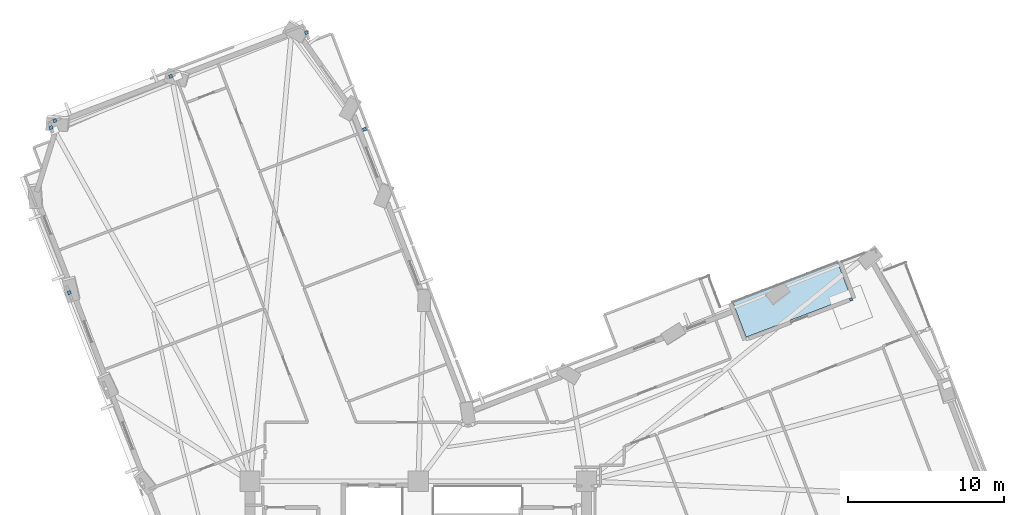
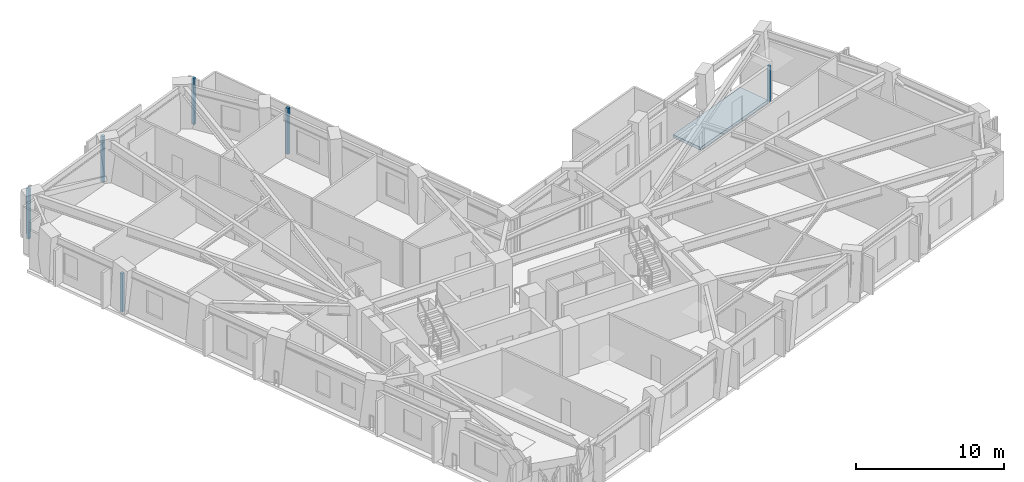
# One storey, part 6 of 15: 7 plates, 1 slab.
"""IFC4 building model written with IfcOpenShell, lengths in metres."""

from ifc_helpers import new_model, si_unit, direction, frame, origin, origin_2d, place, context, subcontext, project, spatial, polyline, rectangle, outline, extrude, material, layer, layer_set, type_object, element, save


model = new_model("IFC4")

# Units and contexts
model_context = context("Model", 3, precision=1e-05, world=origin(), true_north=direction((0.0, 1.0)))
body_context = subcontext(model_context, "Body", "Model", "MODEL_VIEW")
ifc_project = project(units=[si_unit("LENGTHUNIT", "METRE"), si_unit("AREAUNIT", "SQUARE_METRE"), si_unit("VOLUMEUNIT", "CUBIC_METRE"), si_unit("PLANEANGLEUNIT", "RADIAN"), si_unit("MASSUNIT", "GRAM", prefix="KILO")], contexts=[model_context])

# Site, building, storey
site_placement = place(None, origin())
site = spatial("IfcSite", under=ifc_project, at=site_placement, CompositionType="ELEMENT")
building_placement = place(site_placement, origin())
building = spatial("IfcBuilding", under=site, at=building_placement, Name="Gaonmaruhae Medical Tower", CompositionType="ELEMENT")
storey_placement = place(building_placement, frame((0.0, 0.0, 112.39990234375)))
storey = spatial("IfcBuildingStorey", under=building, at=storey_placement, Name="L26", CompositionType="ELEMENT", Elevation=112.39990234375)

# Plates
ifc_material_1 = material(Name="Anodised aluminium 6063-T6", Category="aluminium")
ifc_layer_1 = layer(ifc_material_1, 0.011962890625)
ifc_layer_set_1 = layer_set([ifc_layer_1], Name="Anodised aluminium 6063-T6")
plate_type = type_object("IfcPlateType", Name="PP-01 Interior Partition Corner Stiffener Plate", PredefinedType="SHEET", material=ifc_layer_set_1)
plate_1_placement = place(storey_placement, frame((52.591796875, 28.47705078125, 0.0), z_axis=(0.0, 0.0, 1.0), x_axis=(0.934204474321, 0.35673799932, 0.0)))
element("IfcPlate", 1, at=plate_1_placement, inside=storey, type_object=plate_type, Name="L26 Partition End Jamb Post Plate PLT-L26-ENDP-TERB-1", PredefinedType="SHEET", context=body_context, shape_type="SweptSolid", body=[
    extrude(rectangle(XDim=0.179931640625, YDim=0.179931640625, at=origin_2d()), origin(), (0.0, 0.0, 1.0), 2.945068359375),
])
plate_2_placement = place(storey_placement, frame((2.400390625, 28.912109375, 0.0), z_axis=(0.0, 0.0, 1.0), x_axis=(-0.356819522681, 0.934173339501, 0.0)))
element("IfcPlate", 2, at=plate_2_placement, inside=storey, type_object=plate_type, Name="L26 Partition Corner Stiffener Plate PLT-L26-JGP-PW054", PredefinedType="SHEET", context=body_context, shape_type="SweptSolid", body=[
    extrude(rectangle(XDim=0.219970703125, YDim=0.219970703125, at=origin_2d()), origin(), (0.0, 0.0, 1.0), 3.1650390625),
])
plate_3_placement = place(storey_placement, frame((1.22509765625, 39.501953125, 0.0), z_axis=(0.0, 0.0, 1.0), x_axis=(-0.356982561251, 0.934111048518, 0.0)))
element("IfcPlate", 3, at=plate_3_placement, inside=storey, type_object=plate_type, Name="L26 Partition Corner Stiffener Plate PLT-L26-JGP-PW056", PredefinedType="SHEET", context=body_context, shape_type="SweptSolid", body=[
    extrude(rectangle(XDim=0.219970703125, YDim=0.219970703125, at=origin_2d()), origin(), (0.0, 0.0, 1.0), 2.965087890625),
])
for number, where, z_axis, x_axis, name in (
    (4, (1.4755859375, 39.95751953125, 0.0), (0.0, 0.0, 1.0), (0.934185794282, 0.356786913662, 0.0), "L26 Partition Corner Stiffener Plate PLT-L26-JGP-PW057"),
    (5, (8.912109375, 42.797607421875, 0.0), (0.0, 0.0, 1.0), (0.934353822423, 0.356346649379, 0.0), "L26 Partition Corner Stiffener Plate PLT-L26-JGP-PW058"),
    (6, (21.3544921875, 39.39697265625, 0.0), (0.0, 0.0, 1.0), (-0.934403568693, -0.356216185502, 0.0), "L26 Partition Corner Stiffener Plate PLT-L26-JGP-PW092"),
    (7, (17.62744140625, 45.60302734375, 0.0), (0.0, 0.0, 1.0), (0.355677948627, -0.934608579492, 0.0), "L26 Partition Corner Stiffener Plate PLT-L26-JGP-PW095"),
):
    element("IfcPlate", number, at=place(storey_placement, frame(where, z_axis=z_axis, x_axis=x_axis)), inside=storey, type_object=plate_type, Name=name, PredefinedType="SHEET", context=body_context, shape_type="SweptSolid", body=[
        extrude(rectangle(XDim=0.219970703125, YDim=0.219970703125, at=origin_2d()), origin(), (0.0, 0.0, 1.0), 3.780029296875),
    ])

# Slab
ifc_material_2 = material(Name="Concrete C40/50", Category="concrete")
ifc_layer_2 = layer(ifc_material_2, 0.239990234375)
ifc_layer_set_2 = layer_set([ifc_layer_2], Name="Concrete C40/50")
slab_type = type_object("IfcSlabType", Name="TS-240 Sky Garden & Recovery Terrace Slab", PredefinedType="FLOOR", material=ifc_layer_set_2)
slab_placement = place(storey_placement, frame((0.0, 0.0, -0.239990234375)))
element("IfcSlab", 8, at=slab_placement, inside=storey, type_object=slab_type, Name="L26 Outdoor Recovery Terrace Slab", PredefinedType="FLOOR", context=body_context, shape_type="SweptSolid", body=[
    extrude(outline(polyline([(45.85302734375, 26.053466796875), (52.579345703125, 28.6220703125), (51.72314453125, 30.8642578125), (44.996826171875, 28.295654296875), (45.85302734375, 26.053466796875)])), origin(), (0.0, 0.0, 1.0), 0.239990234375),
])

save(model, "model.ifc")
